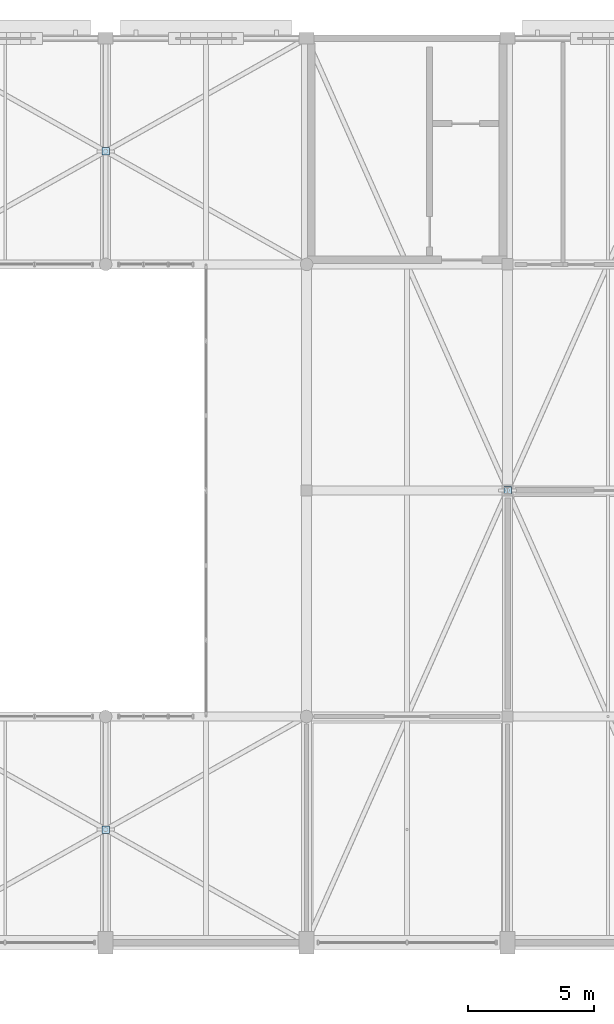
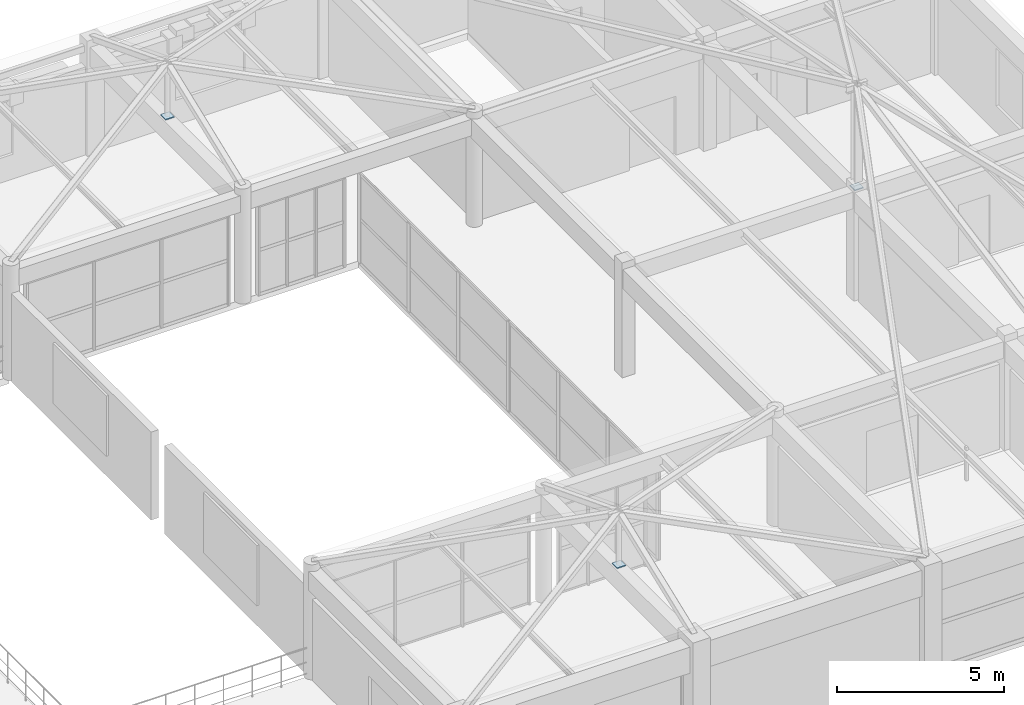
# One storey, part 42 of 63: 3 plates.
"""IFC4 building model written with IfcOpenShell, lengths in metres."""

from ifc_helpers import new_model, si_unit, direction, frame, origin, origin_2d, place, context, subcontext, project, spatial, rectangle, extrude, material, layer, layer_set, type_object, element, save


model = new_model("IFC4")

# Units and contexts
model_context = context("Model", 3, precision=1e-05, world=origin(), true_north=direction((0.0, 1.0)))
body_context = subcontext(model_context, "Body", "Model", "MODEL_VIEW")
ifc_project = project(units=[si_unit("LENGTHUNIT", "METRE"), si_unit("AREAUNIT", "SQUARE_METRE"), si_unit("VOLUMEUNIT", "CUBIC_METRE"), si_unit("PLANEANGLEUNIT", "RADIAN"), si_unit("MASSUNIT", "GRAM", prefix="KILO")], contexts=[model_context])

# Site, building, storey
site_placement = place(None, origin())
site = spatial("IfcSite", under=ifc_project, at=site_placement, CompositionType="ELEMENT")
building_placement = place(site_placement, origin())
building = spatial("IfcBuilding", under=site, at=building_placement, Name="Varnabhumi Central Station", CompositionType="ELEMENT")
storey_placement = place(building_placement, frame((0.0, 0.0, 20.39990234375)))
storey = spatial("IfcBuildingStorey", under=building, at=storey_placement, Name="L04", CompositionType="ELEMENT", Elevation=20.39990234375)

# Plates
ifc_material = material(Name="Structural steel E350", Category="steel")
ifc_layer = layer(ifc_material, 0.050048828125, Name="Structural steel E350", Category="steel")
ifc_layer_set = layer_set([ifc_layer], Name="Structural steel E350")
plate_type = type_object("IfcPlateType", Name="PLT-BASE-1100", PredefinedType="USERDEFINED", material=ifc_layer_set)
for number, where, z_axis, x_axis, name in (
    (1, (88.0, 98.0, 3.9501953125), (0.0, 0.0, 1.0), (1.0, 0.0, 0.0), "Roof Strut Base Plate NBP5-2"),
    (2, (72.0, 84.5, 3.9501953125), (0.0, 0.0, 1.0), (1.0, 0.0, 0.0), "Roof Strut Base Plate NBP5S-2"),
    (3, (72.0, 111.5, 3.9501953125), (0.0, 0.0, 1.0), (1.0, 0.0, 0.0), "Roof Strut Base Plate NBP5N-2"),
):
    element("IfcPlate", number, at=place(storey_placement, frame(where, z_axis=z_axis, x_axis=x_axis)), inside=storey, type_object=plate_type, Name=name, ObjectType="BASE PLATE", PredefinedType="USERDEFINED", context=body_context, shape_type="SweptSolid", body=[
        extrude(rectangle(XDim=0.300048828125, YDim=0.300048828125, at=origin_2d()), origin(), (0.0, 0.0, 1.0), 0.035888671875),
    ])

save(model, "model.ifc")
